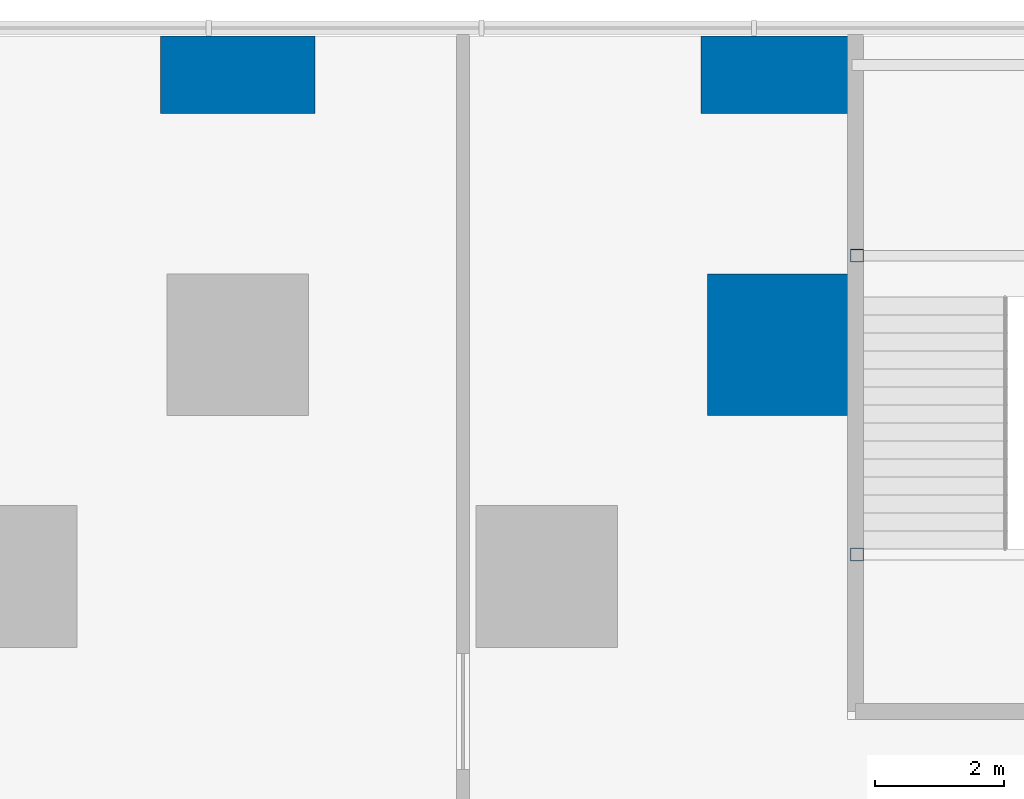
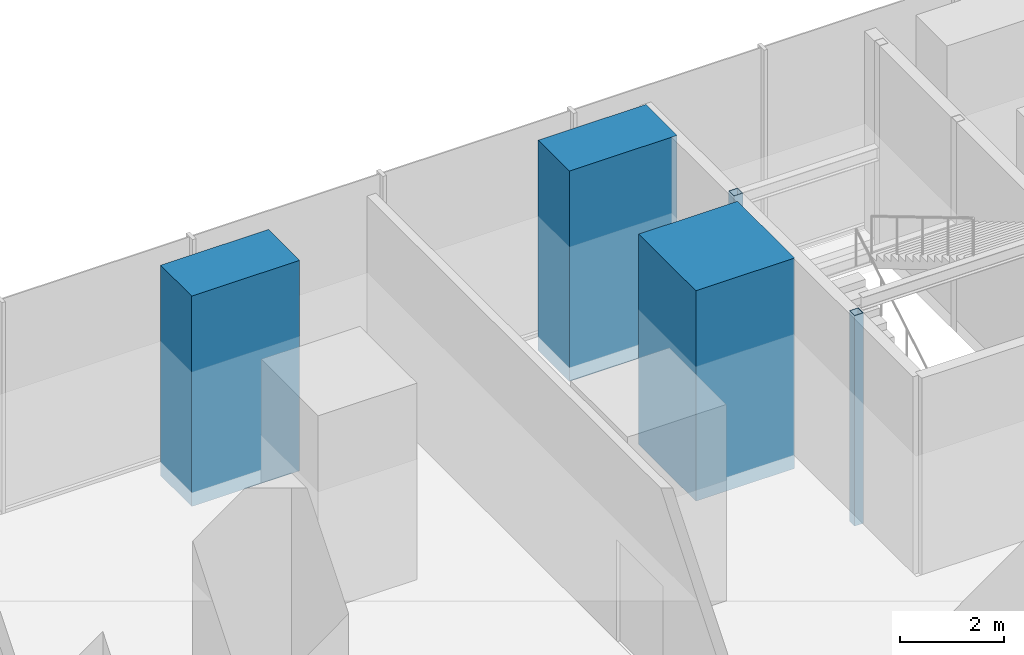
# One storey, part 2 of 18: 5 columns.
"""IFC4 building model written with IfcOpenShell, lengths in metres."""

from ifc_helpers import new_model, si_unit, direction, frame, origin, origin_2d, place, context, subcontext, project, spatial, rectangle, hollow_rectangle, extrude, material, material_profile, profile_set, type_object, element, save


model = new_model("IFC4")

# Units and contexts
model_context = context("Model", 3, precision=1e-05, world=origin(), true_north=direction((0.0, 1.0)))
body_context = subcontext(model_context, "Body", "Model", "MODEL_VIEW")
ifc_project = project(units=[si_unit("LENGTHUNIT", "METRE"), si_unit("AREAUNIT", "SQUARE_METRE"), si_unit("VOLUMEUNIT", "CUBIC_METRE"), si_unit("PLANEANGLEUNIT", "RADIAN"), si_unit("MASSUNIT", "GRAM", prefix="KILO")], contexts=[model_context])

# Site, building, storey
site_placement = place(None, origin())
site = spatial("IfcSite", under=ifc_project, at=site_placement, CompositionType="ELEMENT")
building_placement = place(site_placement, origin())
building = spatial("IfcBuilding", under=site, at=building_placement, Name="Dunama Terrace Hotel", CompositionType="ELEMENT")
storey_placement = place(building_placement, frame((0.0, 0.0, 17.0)))
storey = spatial("IfcBuildingStorey", under=building, at=storey_placement, Name="L03", CompositionType="ELEMENT", Elevation=17.0)

# Columns
ifc_material_1 = material(Name="Concrete C60/75", Category="concrete")
ifc_material_profile_1 = material_profile(ifc_material_1, rectangle(XDim=2.199951171875, YDim=2.199951171875, at=origin_2d()), Name="RC 2200x2200")
ifc_profile_set_1 = profile_set([ifc_material_profile_1], Name="Concrete C60/75")
column_type_1 = type_object("IfcColumnType", Name="Column RC 2200x2200", PredefinedType="COLUMN", material=ifc_profile_set_1)
column_placement = place(storey_placement, frame((16.800048828125, 54.0, -0.300048828125), z_axis=(0.0, 0.0, 1.0), x_axis=(1.0, 0.0, 0.0)))
element("IfcColumn", 1, at=column_placement, inside=storey, type_object=column_type_1, Name="Column L03 +16.8/+54.0", PredefinedType="COLUMN", context=body_context, shape_type="SweptSolid", body=[
    extrude(rectangle(XDim=2.199951171875, YDim=2.199951171875, at=origin_2d()), origin(), (0.0, 0.0, 1.0), 4.949951171875),
])
ifc_material_2 = material(Name="Concrete C60/75", Category="concrete")
ifc_material_profile_2 = material_profile(ifc_material_2, rectangle(XDim=2.39990234375, YDim=1.199951171875, at=origin_2d()), Name="RC 2400x1200")
ifc_profile_set_2 = profile_set([ifc_material_profile_2], Name="Concrete C60/75")
column_type_2 = type_object("IfcColumnType", Name="Column RC 2400x1200", PredefinedType="COLUMN", material=ifc_profile_set_2)
for number, where, z_axis, x_axis, name in (
    (2, (8.39990234375, 58.199951171875, -0.300048828125), (0.0, 0.0, 1.0), (1.0, 0.0, 0.0), "Column L03 +8.4/+58.2"),
    (3, (16.800048828125, 58.199951171875, -0.300048828125), (0.0, 0.0, 1.0), (1.0, 0.0, 0.0), "Column L03 +16.8/+58.2"),
):
    element("IfcColumn", number, at=place(storey_placement, frame(where, z_axis=z_axis, x_axis=x_axis)), inside=storey, type_object=column_type_2, Name=name, PredefinedType="COLUMN", context=body_context, shape_type="SweptSolid", body=[
        extrude(rectangle(XDim=2.39990234375, YDim=1.199951171875, at=origin_2d()), origin(), (0.0, 0.0, 1.0), 4.949951171875),
    ])
ifc_material_3 = material(Name="Steel S355", Category="steel")
ifc_material_profile_3 = material_profile(ifc_material_3, hollow_rectangle(XDim=0.199951171875, YDim=0.199951171875, WallThickness=0.010009765625, at=origin_2d()), Name="SHS 200x200x10")
ifc_profile_set_3 = profile_set([ifc_material_profile_3], Name="Steel S355")
column_type_3 = type_object("IfcColumnType", Name="Stair post SHS 200x200x10", PredefinedType="COLUMN", material=ifc_profile_set_3)
for number, where, z_axis, x_axis, name in (
    (4, (18.02490234375, 50.742431640625, -0.300048828125), (0.0, 0.0, 1.0), (1.0, 0.0, 0.0), "Stair post P5 L03 +18.02/+50.74"),
    (5, (18.02490234375, 55.387451171875, -0.300048828125), (0.0, 0.0, 1.0), (1.0, 0.0, 0.0), "Stair post P5 L03 +18.02/+55.39"),
):
    element("IfcColumn", number, at=place(storey_placement, frame(where, z_axis=z_axis, x_axis=x_axis)), inside=storey, type_object=column_type_3, Name=name, PredefinedType="COLUMN", context=body_context, shape_type="SweptSolid", body=[
        extrude(hollow_rectangle(XDim=0.199951171875, YDim=0.199951171875, WallThickness=0.010009765625, at=origin_2d()), origin(), (0.0, 0.0, 1.0), 4.949951171875),
    ])

save(model, "model.ifc")
